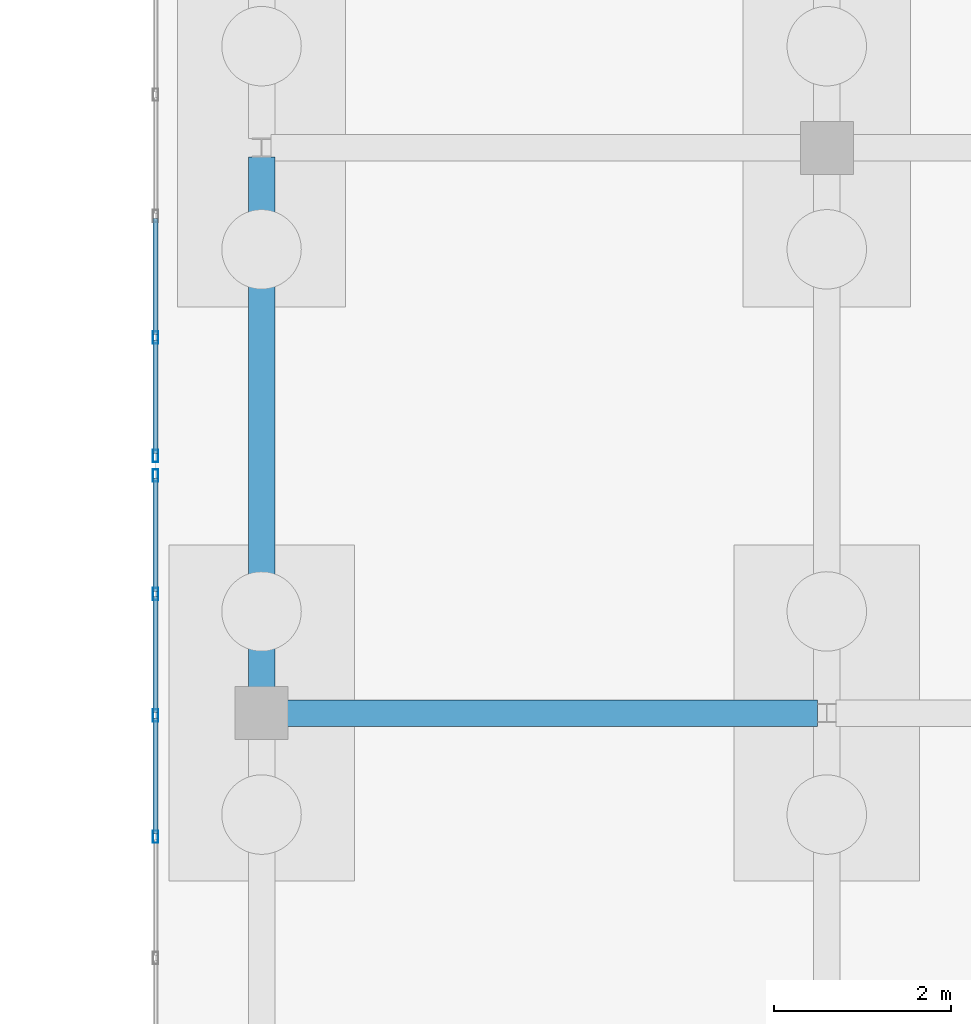
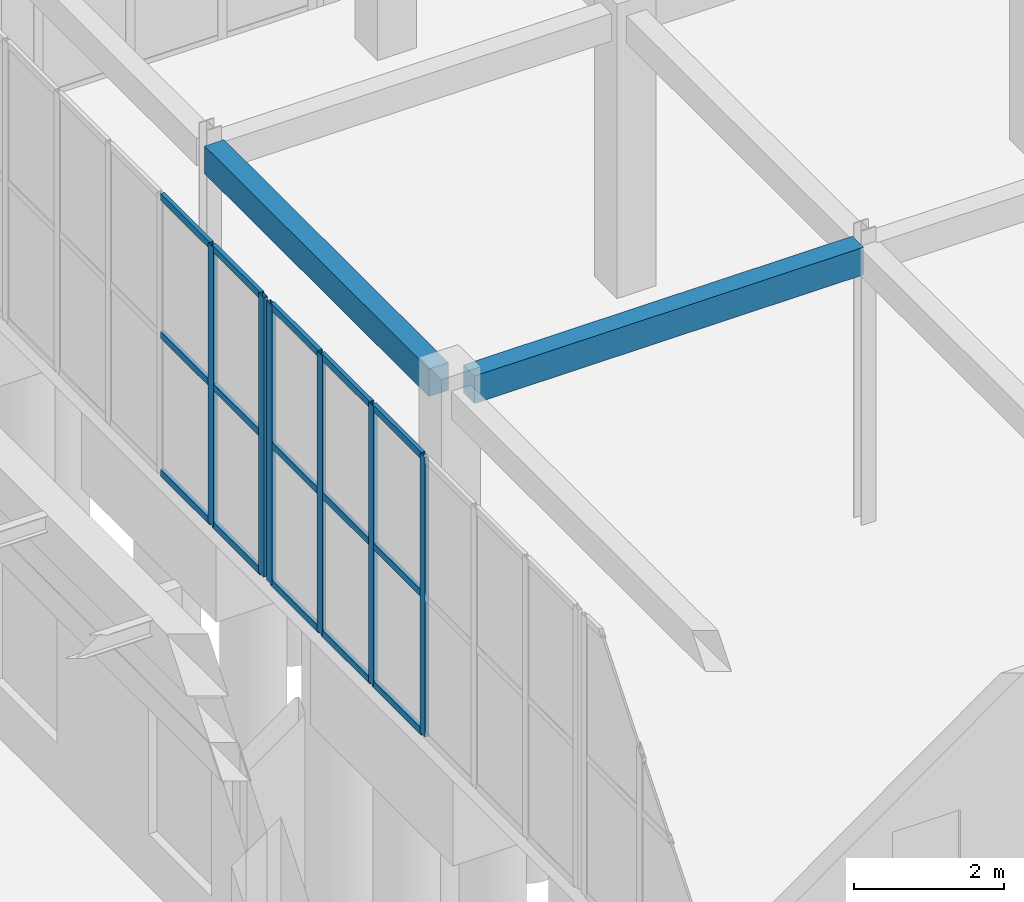
# One storey, part 86 of 192: 21 members, 2 beams, 2 elements without a shape of their own.
"""IFC4 building model written with IfcOpenShell, lengths in metres."""

from ifc_helpers import new_model, si_unit, direction, frame, origin, origin_2d, place, context, subcontext, project, spatial, rectangle, hollow_rectangle, extrude, material, layer, layer_set, material_profile, profile_set, type_object, element, aggregate, save


model = new_model("IFC4")

# Units and contexts
model_context = context("Model", 3, precision=1e-05, world=origin(), true_north=direction((0.0, 1.0)))
body_context = subcontext(model_context, "Body", "Model", "MODEL_VIEW")
ifc_project = project(units=[si_unit("LENGTHUNIT", "METRE"), si_unit("AREAUNIT", "SQUARE_METRE"), si_unit("VOLUMEUNIT", "CUBIC_METRE"), si_unit("PLANEANGLEUNIT", "RADIAN"), si_unit("MASSUNIT", "GRAM", prefix="KILO")], contexts=[model_context])

# Site, building, storey
site_placement = place(None, origin())
site = spatial("IfcSite", under=ifc_project, at=site_placement, CompositionType="ELEMENT")
building_placement = place(site_placement, origin())
building = spatial("IfcBuilding", under=site, at=building_placement, Name="Trelvath General Hospital", CompositionType="ELEMENT")
storey_placement = place(building_placement, origin())
storey = spatial("IfcBuildingStorey", under=building, at=storey_placement, Name="L00", CompositionType="ELEMENT", Elevation=0.0)

# Beams
ifc_material_1 = material(Name="Concrete C35/45", Category="concrete")
ifc_material_profile_1 = material_profile(ifc_material_1, rectangle(XDim=0.300048828125, YDim=0.449951171875, at=origin_2d()), Name="RCB300x450")
ifc_profile_set_1 = profile_set([ifc_material_profile_1], Name="Concrete C35/45")
beam_type = type_object("IfcBeamType", Name="Beam RC300x450", PredefinedType="BEAM", material=ifc_profile_set_1)
for number, where, z_axis, x_axis, name in (
    (1, (48.2958984375, 72.800048828125, 4.3349609375), (1.0, 0.0, 0.0), (0.0, 1.0, 0.0), "Cube Interior Ring Beam CUBE-W-T0 L00"),
    (2, (48.0, 73.095947265625, 4.3349609375), (0.0, 1.0, 0.0), (-1.0, 0.0, 0.0), "Cube Interior Ring Beam CUBE-W-T0 L00"),
):
    element("IfcBeam", number, at=place(storey_placement, frame(where, z_axis=z_axis, x_axis=x_axis)), inside=storey, type_object=beam_type, Name=name, PredefinedType="BEAM", context=body_context, shape_type="SweptSolid", body=[
        extrude(rectangle(XDim=0.300048828125, YDim=0.449951171875, at=origin_2d()), origin(), (0.0, 0.0, 1.0), 5.998046875),
    ])

# Curtain wall, members
ifc_material_2 = material(Name="Anodised aluminium and low-E glass", Category="aluminium")
ifc_layer = layer(ifc_material_2, 0.139892578125)
ifc_layer_set = layer_set([ifc_layer], Name="Anodised aluminium and low-E glass")
curtain_wall_type = type_object("IfcCurtainWallType", Name="CW CrystalCube 824 456 14", PredefinedType="USERDEFINED", material=ifc_layer_set)
curtain_wall_1_placement = place(storey_placement, origin())
curtain_wall_1 = element("IfcCurtainWall", 3, at=curtain_wall_1_placement, inside=storey, type_object=curtain_wall_type, Name="Crystal Cube Curtain Wall CUBE-W-T0 W5 L00", ObjectType="Unitised Glazed Curtain Wall", PredefinedType="USERDEFINED")
ifc_material_3 = material(Name="Anodised aluminium", Category="aluminium")
ifc_material_profile_2 = material_profile(ifc_material_3, hollow_rectangle(XDim=0.06005859375, YDim=0.139892578125, WallThickness=0.00390625, at=origin_2d()), Name="RHS60x140x4")
ifc_profile_set_2 = profile_set([ifc_material_profile_2], Name="Anodised aluminium")
member_type_1 = type_object("IfcMemberType", Name="CurtainMullion 60x140", PredefinedType="MULLION", material=ifc_profile_set_2)
member_1_placement = place(storey_placement, frame((46.800048828125, 71.39990234375, 0.0), z_axis=(0.0, 0.0, 1.0), x_axis=(-1.0, 0.0, 0.0)))
member_1 = element("IfcMember", 4, at=member_1_placement, type_object=member_type_1, Name="CW-100 mullion 4", PredefinedType="MULLION", context=body_context, shape_type="SweptSolid", body=[
    extrude(hollow_rectangle(XDim=0.06005859375, YDim=0.139892578125, WallThickness=0.00390625, at=origin_2d()), origin(), (0.0, 0.0, 1.0), 4.56005859375),
])
member_2_placement = place(storey_placement, frame((46.800048828125, 72.7734375, 0.0), z_axis=(0.0, 0.0, 1.0), x_axis=(-1.0, 0.0, 0.0)))
member_2 = element("IfcMember", 5, at=member_2_placement, type_object=member_type_1, Name="CW-100 mullion 5", PredefinedType="MULLION", context=body_context, shape_type="SweptSolid", body=[
    extrude(hollow_rectangle(XDim=0.06005859375, YDim=0.139892578125, WallThickness=0.00390625, at=origin_2d()), origin(), (0.0, 0.0, 1.0), 4.56005859375),
])
member_3_placement = place(storey_placement, frame((46.800048828125, 74.146728515625, 0.0), z_axis=(0.0, 0.0, 1.0), x_axis=(-1.0, 0.0, 0.0)))
member_3 = element("IfcMember", 6, at=member_3_placement, type_object=member_type_1, Name="CW-100 mullion 6", PredefinedType="MULLION", context=body_context, shape_type="SweptSolid", body=[
    extrude(hollow_rectangle(XDim=0.06005859375, YDim=0.139892578125, WallThickness=0.00390625, at=origin_2d()), origin(), (0.0, 0.0, 1.0), 4.56005859375),
])
member_4_placement = place(storey_placement, frame((46.800048828125, 75.489990234375, 0.0), z_axis=(0.0, 0.0, 1.0), x_axis=(-1.0, 0.0, 0.0)))
member_4 = element("IfcMember", 7, at=member_4_placement, type_object=member_type_1, Name="CW-100 mullion 7", PredefinedType="MULLION", context=body_context, shape_type="SweptSolid", body=[
    extrude(hollow_rectangle(XDim=0.06005859375, YDim=0.139892578125, WallThickness=0.00390625, at=origin_2d()), origin(), (0.0, 0.0, 1.0), 4.56005859375),
])

curtain_wall_2_placement = place(storey_placement, origin())
curtain_wall_2 = element("IfcCurtainWall", 8, at=curtain_wall_2_placement, inside=storey, type_object=curtain_wall_type, Name="Crystal Cube Curtain Wall CUBE-W-T0 W6 L00", ObjectType="Unitised Glazed Curtain Wall", PredefinedType="USERDEFINED")
member_5_placement = place(storey_placement, frame((46.800048828125, 75.7099609375, 0.0), z_axis=(0.0, 0.0, 1.0), x_axis=(-1.0, 0.0, 0.0)))
member_5 = element("IfcMember", 9, at=member_5_placement, type_object=member_type_1, Name="CW-102 mullion 1", PredefinedType="MULLION", context=body_context, shape_type="SweptSolid", body=[
    extrude(hollow_rectangle(XDim=0.06005859375, YDim=0.139892578125, WallThickness=0.00390625, at=origin_2d()), origin(), (0.0, 0.0, 1.0), 4.56005859375),
])
member_6_placement = place(storey_placement, frame((46.800048828125, 77.05322265625, 0.0), z_axis=(0.0, 0.0, 1.0), x_axis=(-1.0, 0.0, 0.0)))
member_6 = element("IfcMember", 10, at=member_6_placement, type_object=member_type_1, Name="CW-102 mullion 2", PredefinedType="MULLION", context=body_context, shape_type="SweptSolid", body=[
    extrude(hollow_rectangle(XDim=0.06005859375, YDim=0.139892578125, WallThickness=0.00390625, at=origin_2d()), origin(), (0.0, 0.0, 1.0), 4.56005859375),
])

# Member
ifc_material_4 = material(Name="Anodised aluminium", Category="aluminium")
ifc_material_profile_3 = material_profile(ifc_material_4, hollow_rectangle(XDim=0.06005859375, YDim=0.110107421875, WallThickness=0.00390625, at=origin_2d()), Name="RHS60x110x4")
ifc_profile_set_3 = profile_set([ifc_material_profile_3], Name="Anodised aluminium")
member_type_2 = type_object("IfcMemberType", Name="CurtainTransom 60x110", PredefinedType="USERDEFINED", material=ifc_profile_set_3)
member_7_placement = place(storey_placement, frame((46.800048828125, 71.429931640625, 0.030029296875), z_axis=(0.0, 1.0, 0.0), x_axis=(-1.0, 0.0, 0.0)))
member_7 = element("IfcMember", 11, at=member_7_placement, type_object=member_type_2, Name="CW-100 transom 4.1", ObjectType="TRANSOM", PredefinedType="USERDEFINED", context=body_context, shape_type="SweptSolid", body=[
    extrude(hollow_rectangle(XDim=0.06005859375, YDim=0.110107421875, WallThickness=0.00390625, at=origin_2d()), origin(), (0.0, 0.0, 1.0), 1.3134765625),
])

member_8_placement = place(storey_placement, frame((46.800048828125, 71.429931640625, 2.280029296875), z_axis=(0.0, 1.0, 0.0), x_axis=(-1.0, 0.0, 0.0)))
member_8 = element("IfcMember", 12, at=member_8_placement, type_object=member_type_2, Name="CW-100 transom 4.2", ObjectType="TRANSOM", PredefinedType="USERDEFINED", context=body_context, shape_type="SweptSolid", body=[
    extrude(hollow_rectangle(XDim=0.06005859375, YDim=0.110107421875, WallThickness=0.00390625, at=origin_2d()), origin(), (0.0, 0.0, 1.0), 1.3134765625),
])

member_9_placement = place(storey_placement, frame((46.800048828125, 71.429931640625, 4.530029296875), z_axis=(0.0, 1.0, 0.0), x_axis=(-1.0, 0.0, 0.0)))
member_9 = element("IfcMember", 13, at=member_9_placement, type_object=member_type_2, Name="CW-100 transom 4.3", ObjectType="TRANSOM", PredefinedType="USERDEFINED", context=body_context, shape_type="SweptSolid", body=[
    extrude(hollow_rectangle(XDim=0.06005859375, YDim=0.110107421875, WallThickness=0.00390625, at=origin_2d()), origin(), (0.0, 0.0, 1.0), 1.3134765625),
])

member_10_placement = place(storey_placement, frame((46.800048828125, 72.80322265625, 0.030029296875), z_axis=(0.0, 1.0, 0.0), x_axis=(-1.0, 0.0, 0.0)))
member_10 = element("IfcMember", 14, at=member_10_placement, type_object=member_type_2, Name="CW-100 transom 5.1", ObjectType="TRANSOM", PredefinedType="USERDEFINED", context=body_context, shape_type="SweptSolid", body=[
    extrude(hollow_rectangle(XDim=0.06005859375, YDim=0.110107421875, WallThickness=0.00390625, at=origin_2d()), origin(), (0.0, 0.0, 1.0), 1.3134765625),
])

member_11_placement = place(storey_placement, frame((46.800048828125, 72.80322265625, 2.280029296875), z_axis=(0.0, 1.0, 0.0), x_axis=(-1.0, 0.0, 0.0)))
member_11 = element("IfcMember", 15, at=member_11_placement, type_object=member_type_2, Name="CW-100 transom 5.2", ObjectType="TRANSOM", PredefinedType="USERDEFINED", context=body_context, shape_type="SweptSolid", body=[
    extrude(hollow_rectangle(XDim=0.06005859375, YDim=0.110107421875, WallThickness=0.00390625, at=origin_2d()), origin(), (0.0, 0.0, 1.0), 1.3134765625),
])

member_12_placement = place(storey_placement, frame((46.800048828125, 72.80322265625, 4.530029296875), z_axis=(0.0, 1.0, 0.0), x_axis=(-1.0, 0.0, 0.0)))
member_12 = element("IfcMember", 16, at=member_12_placement, type_object=member_type_2, Name="CW-100 transom 5.3", ObjectType="TRANSOM", PredefinedType="USERDEFINED", context=body_context, shape_type="SweptSolid", body=[
    extrude(hollow_rectangle(XDim=0.06005859375, YDim=0.110107421875, WallThickness=0.00390625, at=origin_2d()), origin(), (0.0, 0.0, 1.0), 1.3134765625),
])

member_13_placement = place(storey_placement, frame((46.800048828125, 74.1767578125, 0.030029296875), z_axis=(0.0, 1.0, 0.0), x_axis=(-1.0, 0.0, 0.0)))
member_13 = element("IfcMember", 17, at=member_13_placement, type_object=member_type_2, Name="CW-100 transom 6.1", ObjectType="TRANSOM", PredefinedType="USERDEFINED", context=body_context, shape_type="SweptSolid", body=[
    extrude(hollow_rectangle(XDim=0.06005859375, YDim=0.110107421875, WallThickness=0.00390625, at=origin_2d()), origin(), (0.0, 0.0, 1.0), 1.283203125),
])

member_14_placement = place(storey_placement, frame((46.800048828125, 74.1767578125, 2.280029296875), z_axis=(0.0, 1.0, 0.0), x_axis=(-1.0, 0.0, 0.0)))
member_14 = element("IfcMember", 18, at=member_14_placement, type_object=member_type_2, Name="CW-100 transom 6.2", ObjectType="TRANSOM", PredefinedType="USERDEFINED", context=body_context, shape_type="SweptSolid", body=[
    extrude(hollow_rectangle(XDim=0.06005859375, YDim=0.110107421875, WallThickness=0.00390625, at=origin_2d()), origin(), (0.0, 0.0, 1.0), 1.283203125),
])

member_15_placement = place(storey_placement, frame((46.800048828125, 74.1767578125, 4.530029296875), z_axis=(0.0, 1.0, 0.0), x_axis=(-1.0, 0.0, 0.0)))
member_15 = element("IfcMember", 19, at=member_15_placement, type_object=member_type_2, Name="CW-100 transom 6.3", ObjectType="TRANSOM", PredefinedType="USERDEFINED", context=body_context, shape_type="SweptSolid", body=[
    extrude(hollow_rectangle(XDim=0.06005859375, YDim=0.110107421875, WallThickness=0.00390625, at=origin_2d()), origin(), (0.0, 0.0, 1.0), 1.283203125),
])

aggregate(curtain_wall_1, [member_1, member_2, member_3, member_4, member_7, member_8, member_9, member_10, member_11, member_12, member_13, member_14, member_15])

member_16_placement = place(storey_placement, frame((46.800048828125, 75.739990234375, 0.030029296875), z_axis=(0.0, 1.0, 0.0), x_axis=(-1.0, 0.0, 0.0)))
member_16 = element("IfcMember", 20, at=member_16_placement, type_object=member_type_2, Name="CW-102 transom 1.1", ObjectType="TRANSOM", PredefinedType="USERDEFINED", context=body_context, shape_type="SweptSolid", body=[
    extrude(hollow_rectangle(XDim=0.06005859375, YDim=0.110107421875, WallThickness=0.00390625, at=origin_2d()), origin(), (0.0, 0.0, 1.0), 1.283447265625),
])

member_17_placement = place(storey_placement, frame((46.800048828125, 75.739990234375, 2.280029296875), z_axis=(0.0, 1.0, 0.0), x_axis=(-1.0, 0.0, 0.0)))
member_17 = element("IfcMember", 21, at=member_17_placement, type_object=member_type_2, Name="CW-102 transom 1.2", ObjectType="TRANSOM", PredefinedType="USERDEFINED", context=body_context, shape_type="SweptSolid", body=[
    extrude(hollow_rectangle(XDim=0.06005859375, YDim=0.110107421875, WallThickness=0.00390625, at=origin_2d()), origin(), (0.0, 0.0, 1.0), 1.283447265625),
])

member_18_placement = place(storey_placement, frame((46.800048828125, 75.739990234375, 4.530029296875), z_axis=(0.0, 1.0, 0.0), x_axis=(-1.0, 0.0, 0.0)))
member_18 = element("IfcMember", 22, at=member_18_placement, type_object=member_type_2, Name="CW-102 transom 1.3", ObjectType="TRANSOM", PredefinedType="USERDEFINED", context=body_context, shape_type="SweptSolid", body=[
    extrude(hollow_rectangle(XDim=0.06005859375, YDim=0.110107421875, WallThickness=0.00390625, at=origin_2d()), origin(), (0.0, 0.0, 1.0), 1.283447265625),
])

member_19_placement = place(storey_placement, frame((46.800048828125, 77.083251953125, 0.030029296875), z_axis=(0.0, 1.0, 0.0), x_axis=(-1.0, 0.0, 0.0)))
member_19 = element("IfcMember", 23, at=member_19_placement, type_object=member_type_2, Name="CW-102 transom 2.1", ObjectType="TRANSOM", PredefinedType="USERDEFINED", context=body_context, shape_type="SweptSolid", body=[
    extrude(hollow_rectangle(XDim=0.06005859375, YDim=0.110107421875, WallThickness=0.00390625, at=origin_2d()), origin(), (0.0, 0.0, 1.0), 1.3134765625),
])

member_20_placement = place(storey_placement, frame((46.800048828125, 77.083251953125, 2.280029296875), z_axis=(0.0, 1.0, 0.0), x_axis=(-1.0, 0.0, 0.0)))
member_20 = element("IfcMember", 24, at=member_20_placement, type_object=member_type_2, Name="CW-102 transom 2.2", ObjectType="TRANSOM", PredefinedType="USERDEFINED", context=body_context, shape_type="SweptSolid", body=[
    extrude(hollow_rectangle(XDim=0.06005859375, YDim=0.110107421875, WallThickness=0.00390625, at=origin_2d()), origin(), (0.0, 0.0, 1.0), 1.3134765625),
])

member_21_placement = place(storey_placement, frame((46.800048828125, 77.083251953125, 4.530029296875), z_axis=(0.0, 1.0, 0.0), x_axis=(-1.0, 0.0, 0.0)))
member_21 = element("IfcMember", 25, at=member_21_placement, type_object=member_type_2, Name="CW-102 transom 2.3", ObjectType="TRANSOM", PredefinedType="USERDEFINED", context=body_context, shape_type="SweptSolid", body=[
    extrude(hollow_rectangle(XDim=0.06005859375, YDim=0.110107421875, WallThickness=0.00390625, at=origin_2d()), origin(), (0.0, 0.0, 1.0), 1.3134765625),
])

aggregate(curtain_wall_2, [member_5, member_6, member_16, member_17, member_18, member_19, member_20, member_21])

save(model, "model.ifc")
